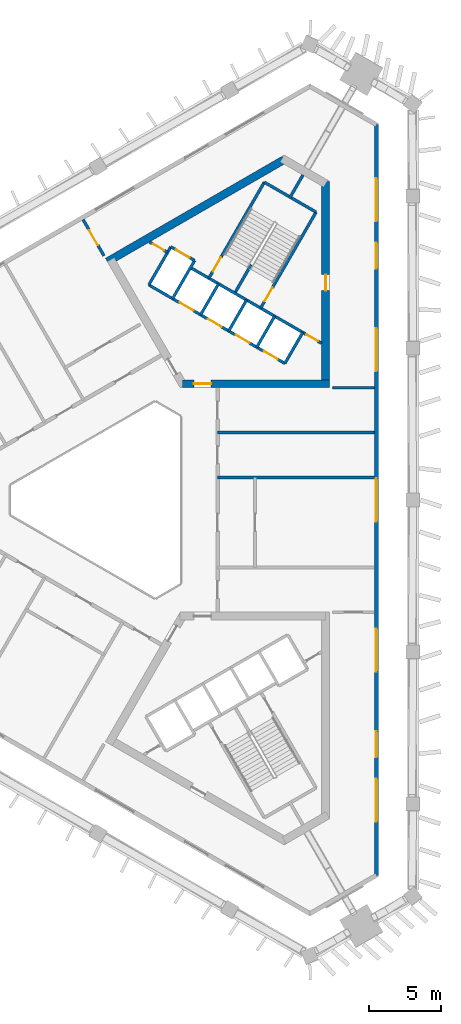
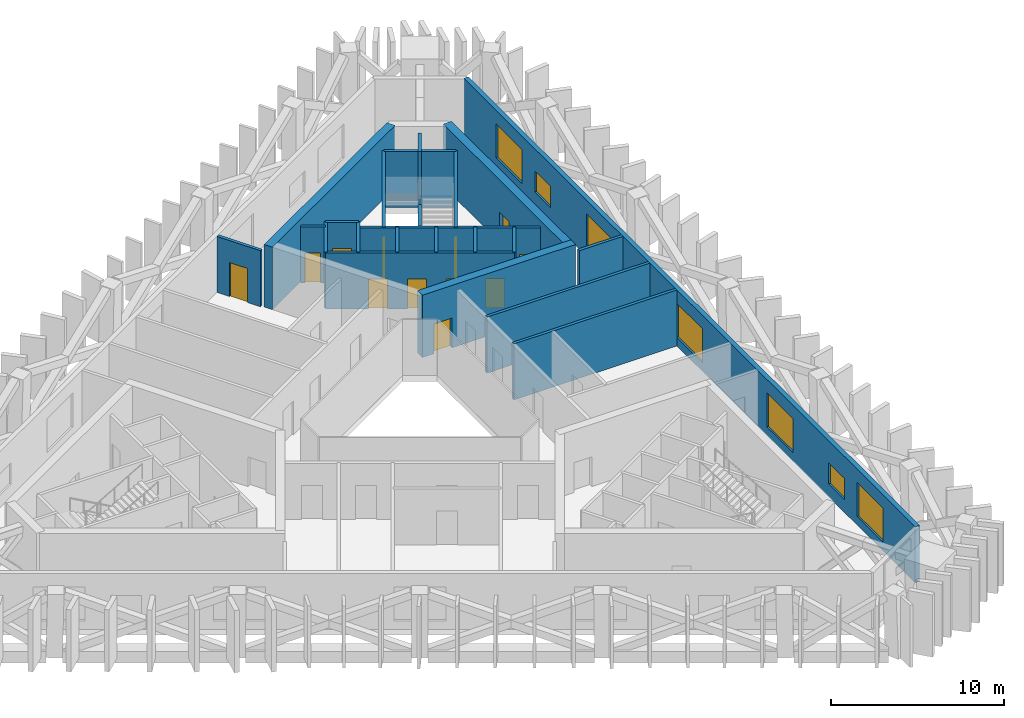
# One storey, part 6 of 9: 23 walls, 12 doors, 7 windows, 19 openings.
"""IFC4 building model written with IfcOpenShell, lengths in metres."""

from ifc_helpers import new_model, si_unit, direction, frame, frame_2d, origin, place, context, subcontext, project, spatial, rectangle, extrude, material, layer, layer_set, type_object, element, fill, save


model = new_model("IFC4")

# Units and contexts
model_context = context("Model", 3, precision=1e-05, world=origin(), true_north=direction((0.0, 1.0)))
body_context = subcontext(model_context, "Body", "Model", "MODEL_VIEW")
ifc_project = project(units=[si_unit("LENGTHUNIT", "METRE"), si_unit("AREAUNIT", "SQUARE_METRE"), si_unit("VOLUMEUNIT", "CUBIC_METRE"), si_unit("PLANEANGLEUNIT", "RADIAN"), si_unit("MASSUNIT", "GRAM", prefix="KILO")], contexts=[model_context])

# Site, building, storey
site_placement = place(None, origin())
site = spatial("IfcSite", under=ifc_project, at=site_placement, CompositionType="ELEMENT")
building_placement = place(site_placement, origin())
building = spatial("IfcBuilding", under=site, at=building_placement, Name="Jabali Bay Hotel Tower and Convention Centre", CompositionType="ELEMENT")
storey_placement = place(building_placement, frame((0.0, 0.0, 197.0)))
storey = spatial("IfcBuildingStorey", under=building, at=storey_placement, Name="L48", CompositionType="ELEMENT", Elevation=197.0)

# Wall
ifc_material_1 = material(Name="Concrete C40", Category="concrete")
ifc_layer_1 = layer(ifc_material_1, 0.199951171875)
ifc_layer_set_1 = layer_set([ifc_layer_1], Name="Concrete C40")
wall_type_1 = type_object("IfcWallType", Name="Core partition wall 200", PredefinedType="PARTITIONING", material=ifc_layer_set_1)
wall_1_placement = place(storey_placement, frame((87.090087890625, 100.9404296875, 0.0), z_axis=(0.0, 0.0, 1.0), x_axis=(0.499951854219, 0.86605319898, 0.0)))
element("IfcWall", 1, at=wall_1_placement, inside=storey, type_object=wall_type_1, Name="Core wall 1.5 L48", PredefinedType="PARTITIONING", context=body_context, shape_type="SweptSolid", body=[
    extrude(rectangle(XDim=1.873291015625, YDim=0.199951171875, at=frame_2d((0.9365234375, 0.0))), origin(), (0.0, 0.0, 1.0), 3.949951171875),
])

# Wall, opening, door
wall_2_placement = place(storey_placement, frame((78.630126953125, 97.187744140625, 0.0), z_axis=(0.0, 0.0, 1.0), x_axis=(-0.866003949776, 0.500037157592, 0.0)))
wall_2 = element("IfcWall", 2, at=wall_2_placement, inside=storey, type_object=wall_type_1, Name="Core wall 1.12 L48", PredefinedType="PARTITIONING", context=body_context, shape_type="SweptSolid", body=[
    extrude(rectangle(XDim=1.455078125, YDim=0.199951171875, at=frame_2d((0.7275390625, 0.0))), origin(), (0.0, 0.0, 1.0), 3.949951171875),
])
opening_1_placement = place(wall_2_placement, frame((0.277587890625, 0.0, 0.0)))
opening_1 = element("IfcOpeningElement", 3, at=opening_1_placement, cuts=wall_2, Name="Opening D1040", PredefinedType="OPENING", context=body_context, shape_type="SweptSolid", body=[
    extrude(rectangle(XDim=0.89990234375, YDim=2.10009765625, at=frame_2d((0.449951171875, 1.050048828125))), frame((0.0, 0.1103515625, 0.0), z_axis=(0.0, -1.0, 0.0), x_axis=(1.0, 0.0, 0.0)), (0.0, 0.0, 1.0), 0.220947265625),
])
ifc_material_2 = material(Name="Fire-rated steel door", Category="steel")
door_type_1 = type_object("IfcDoorType", Name="Vestibule fire door 900 x 2100", OperationType="NOTDEFINED", PredefinedType="NOTDEFINED", material=ifc_material_2)
door_1_placement = place(opening_1_placement, origin())
door_1 = element("IfcDoor", 4, at=door_1_placement, inside=storey, type_object=door_type_1, Name="Vestibule fire door D1040", OperationType="SINGLE_SWING_LEFT", OverallHeight=2.10009765625, OverallWidth=0.89990234375, PredefinedType="NOTDEFINED", context=body_context, shape_type="SweptSolid", body=[
    extrude(rectangle(XDim=0.89990234375, YDim=2.10009765625, at=frame_2d((0.449951171875, 1.050048828125))), frame((0.0, 0.02490234375, 0.0), z_axis=(0.0, -1.0, 0.0), x_axis=(1.0, 0.0, 0.0)), (0.0, 0.0, 1.0), 0.050048828125),
])
fill(opening_1, door_1)

# Walls
ifc_layer_2 = layer(ifc_material_1, 0.199951171875)
ifc_layer_set_2 = layer_set([ifc_layer_2], Name="Concrete C40")
wall_type_2 = type_object("IfcWallType", Name="Core stair wall 200", PredefinedType="SOLIDWALL", material=ifc_layer_set_2)
for number, where, z_axis, x_axis, name in (
    (5, (86.769775390625, 89.48583984375, 0.0), (0.0, 0.0, 1.0), (0.499961042966, 0.86604789447, 0.0), "Core wall 1.0 L48"),
    (6, (84.8212890625, 90.61083984375, 0.0), (0.0, 0.0, 1.0), (0.499961042966, 0.86604789447, 0.0), "Core wall 1.1 L48"),
):
    element("IfcWall", number, at=place(storey_placement, frame(where, z_axis=z_axis, x_axis=x_axis)), inside=storey, type_object=wall_type_2, Name=name, PredefinedType="SOLIDWALL", context=body_context, shape_type="SweptSolid", body=[
        extrude(rectangle(XDim=2.480224609375, YDim=0.199951171875, at=frame_2d((1.240234375, 0.0))), origin(), (0.0, 0.0, 1.0), 3.949951171875),
    ])

# Wall, opening, door
wall_3_placement = place(storey_placement, frame((85.0869140625, 93.3212890625, 0.0), z_axis=(0.0, 0.0, 1.0), x_axis=(0.500019787375, 0.866013979237, 0.0)))
wall_3 = element("IfcWall", 7, at=wall_3_placement, inside=storey, type_object=wall_type_2, Name="Core wall 1.2 L48", PredefinedType="SOLIDWALL", context=body_context, shape_type="SweptSolid", body=[
    extrude(rectangle(XDim=7.699951171875, YDim=0.199951171875, at=frame_2d((3.85009765625, 0.0))), origin(), (0.0, 0.0, 1.0), 3.949951171875),
])
opening_2_placement = place(wall_3_placement, frame((0.550048828125, 0.0, 0.0)))
opening_2 = element("IfcOpeningElement", 8, at=opening_2_placement, cuts=wall_3, Name="Opening D1043", PredefinedType="OPENING", context=body_context, shape_type="SweptSolid", body=[
    extrude(rectangle(XDim=1.10009765625, YDim=2.10009765625, at=frame_2d((0.550048828125, 1.050048828125))), frame((0.0, 0.1103515625, 0.0), z_axis=(0.0, -1.0, 0.0), x_axis=(1.0, 0.0, 0.0)), (0.0, 0.0, 1.0), 0.220947265625),
])
door_type_2 = type_object("IfcDoorType", Name="Stair fire door 1100 x 2100", OperationType="NOTDEFINED", PredefinedType="NOTDEFINED", material=ifc_material_2)
door_2_placement = place(opening_2_placement, origin())
door_2 = element("IfcDoor", 9, at=door_2_placement, inside=storey, type_object=door_type_2, Name="Stair fire door D1043", OperationType="SINGLE_SWING_LEFT", OverallHeight=2.10009765625, OverallWidth=1.10009765625, PredefinedType="NOTDEFINED", context=body_context, shape_type="SweptSolid", body=[
    extrude(rectangle(XDim=1.10009765625, YDim=2.10009765625, at=frame_2d((0.550048828125, 1.050048828125))), frame((0.0, 0.02490234375, 0.0), z_axis=(0.0, -1.0, 0.0), x_axis=(1.0, 0.0, 0.0)), (0.0, 0.0, 1.0), 0.050048828125),
])
fill(opening_2, door_2)

# Walls
wall_4_placement = place(storey_placement, frame((82.872802734375, 91.73583984375, 0.0), z_axis=(0.0, 0.0, 1.0), x_axis=(0.499961042966, 0.86604789447, 0.0)))
element("IfcWall", 10, at=wall_4_placement, inside=storey, type_object=wall_type_2, Name="Core wall 1.3 L48", PredefinedType="SOLIDWALL", context=body_context, shape_type="SweptSolid", body=[
    extrude(rectangle(XDim=2.480224609375, YDim=0.199951171875, at=frame_2d((1.240234375, 0.0))), origin(), (0.0, 0.0, 1.0), 3.949951171875),
])
wall_5_placement = place(storey_placement, frame((83.340087890625, 94.4453125, 0.0), z_axis=(0.0, 0.0, 1.0), x_axis=(0.499946605688, 0.86605622881, 0.0)))
element("IfcWall", 11, at=wall_5_placement, inside=storey, type_object=wall_type_2, Name="Core wall 1.4 L48", PredefinedType="SOLIDWALL", context=body_context, shape_type="SweptSolid", body=[
    extrude(rectangle(XDim=2.199951171875, YDim=0.199951171875, at=frame_2d((1.10009765625, 0.0))), origin(), (0.0, 0.0, 1.0), 3.949951171875),
])
wall_6_placement = place(storey_placement, frame((80.924072265625, 92.86083984375, 0.0), z_axis=(0.0, 0.0, 1.0), x_axis=(0.499961042966, 0.86604789447, 0.0)))
element("IfcWall", 12, at=wall_6_placement, inside=storey, type_object=wall_type_2, Name="Core wall 1.6 L48", PredefinedType="SOLIDWALL", context=body_context, shape_type="SweptSolid", body=[
    extrude(rectangle(XDim=2.480224609375, YDim=0.199951171875, at=frame_2d((1.240234375, 0.0))), origin(), (0.0, 0.0, 1.0), 3.949951171875),
])

# Wall, opening, door
wall_7_placement = place(storey_placement, frame((81.492919921875, 95.396240234375, 0.0), z_axis=(0.0, 0.0, 1.0), x_axis=(0.500006057782, 0.866021906294, 0.0)))
wall_7 = element("IfcWall", 13, at=wall_7_placement, inside=storey, type_object=wall_type_2, Name="Core wall 1.7 L48", PredefinedType="SOLIDWALL", context=body_context, shape_type="SweptSolid", body=[
    extrude(rectangle(XDim=7.7001953125, YDim=0.199951171875, at=frame_2d((3.85009765625, 0.0))), origin(), (0.0, 0.0, 1.0), 3.949951171875),
])
opening_3_placement = place(wall_7_placement, frame((0.550048828125, 0.0, 0.0)))
opening_3 = element("IfcOpeningElement", 14, at=opening_3_placement, cuts=wall_7, Name="Opening D1042", PredefinedType="OPENING", context=body_context, shape_type="SweptSolid", body=[
    extrude(rectangle(XDim=1.10009765625, YDim=2.10009765625, at=frame_2d((0.550048828125, 1.050048828125))), frame((0.0, 0.1103515625, 0.0), z_axis=(0.0, -1.0, 0.0), x_axis=(1.0, 0.0, 0.0)), (0.0, 0.0, 1.0), 0.220947265625),
])
door_3_placement = place(opening_3_placement, origin())
door_3 = element("IfcDoor", 15, at=door_3_placement, inside=storey, type_object=door_type_2, Name="Stair fire door D1042", OperationType="SINGLE_SWING_RIGHT", OverallHeight=2.10009765625, OverallWidth=1.10009765625, PredefinedType="NOTDEFINED", context=body_context, shape_type="SweptSolid", body=[
    extrude(rectangle(XDim=1.10009765625, YDim=2.10009765625, at=frame_2d((0.550048828125, 1.050048828125))), frame((0.0, 0.02490234375, 0.0), z_axis=(0.0, -1.0, 0.0), x_axis=(1.0, 0.0, 0.0)), (0.0, 0.0, 1.0), 0.050048828125),
])
fill(opening_3, door_3)

# Walls
for number, where, z_axis, x_axis, name in (
    (16, (78.9755859375, 93.98583984375, 0.0), (0.0, 0.0, 1.0), (0.499944174705, 0.866057632134, 0.0), "Core wall 1.8 L48"),
    (17, (77.330078125, 94.93603515625, 0.0), (0.0, 0.0, 1.0), (0.500038867431, 0.8660029625, 0.0), "Core wall 1.9 L48"),
):
    element("IfcWall", number, at=place(storey_placement, frame(where, z_axis=z_axis, x_axis=x_axis)), inside=storey, type_object=wall_type_2, Name=name, PredefinedType="SOLIDWALL", context=body_context, shape_type="SweptSolid", body=[
        extrude(rectangle(XDim=3.050048828125, YDim=0.199951171875, at=frame_2d((1.52490234375, 0.0))), origin(), (0.0, 0.0, 1.0), 3.949951171875),
    ])

# Wall, openings, doors
wall_8_placement = place(storey_placement, frame((86.769775390625, 89.48583984375, 0.0), z_axis=(0.0, 0.0, 1.0), x_axis=(-0.86601811187, 0.500012629753, 0.0)))
wall_8 = element("IfcWall", 18, at=wall_8_placement, inside=storey, type_object=wall_type_2, Name="Core wall 1.10 L48", PredefinedType="SOLIDWALL", context=body_context, shape_type="SweptSolid", body=[
    extrude(rectangle(XDim=10.900146484375, YDim=0.199951171875, at=frame_2d((5.4501953125, 0.0))), origin(), (0.0, 0.0, 1.0), 3.949951171875),
])
opening_4_placement = place(wall_8_placement, frame((0.574951171875, 0.0, 0.0)))
opening_4 = element("IfcOpeningElement", 19, at=opening_4_placement, cuts=wall_8, Name="Opening LD6-L48", PredefinedType="OPENING", context=body_context, shape_type="SweptSolid", body=[
    extrude(rectangle(XDim=1.10009765625, YDim=2.10009765625, at=frame_2d((0.550048828125, 1.050048828125))), frame((0.0, 0.1103515625, 0.0), z_axis=(0.0, -1.0, 0.0), x_axis=(1.0, 0.0, 0.0)), (0.0, 0.0, 1.0), 0.220947265625),
])
opening_5_placement = place(wall_8_placement, frame((2.824951171875, 0.0, 0.0)))
opening_5 = element("IfcOpeningElement", 20, at=opening_5_placement, cuts=wall_8, Name="Opening LD7-L48", PredefinedType="OPENING", context=body_context, shape_type="SweptSolid", body=[
    extrude(rectangle(XDim=1.10009765625, YDim=2.10009765625, at=frame_2d((0.550048828125, 1.050048828125))), frame((0.0, 0.1103515625, 0.0), z_axis=(0.0, -1.0, 0.0), x_axis=(1.0, 0.0, 0.0)), (0.0, 0.0, 1.0), 0.220947265625),
])
opening_6_placement = place(wall_8_placement, frame((5.074951171875, 0.0, 0.0)))
opening_6 = element("IfcOpeningElement", 21, at=opening_6_placement, cuts=wall_8, Name="Opening LD8-L48", PredefinedType="OPENING", context=body_context, shape_type="SweptSolid", body=[
    extrude(rectangle(XDim=1.10009765625, YDim=2.10009765625, at=frame_2d((0.550048828125, 1.050048828125))), frame((0.0, 0.1103515625, 0.0), z_axis=(0.0, -1.0, 0.0), x_axis=(1.0, 0.0, 0.0)), (0.0, 0.0, 1.0), 0.220947265625),
])
opening_7_placement = place(wall_8_placement, frame((7.324951171875, 0.0, 0.0)))
opening_7 = element("IfcOpeningElement", 22, at=opening_7_placement, cuts=wall_8, Name="Opening LD9-L48", PredefinedType="OPENING", context=body_context, shape_type="SweptSolid", body=[
    extrude(rectangle(XDim=1.10009765625, YDim=2.10009765625, at=frame_2d((0.550048828125, 1.050048828125))), frame((0.0, 0.1103515625, 0.0), z_axis=(0.0, -1.0, 0.0), x_axis=(1.0, 0.0, 0.0)), (0.0, 0.0, 1.0), 0.220947265625),
])
ifc_material_3 = material(Name="Stainless steel landing door", Category="steel")
door_type_3 = type_object("IfcDoorType", Name="Landing door 1100 x 2100", OperationType="NOTDEFINED", PredefinedType="NOTDEFINED", material=ifc_material_3)
door_4_placement = place(opening_4_placement, origin())
door_4 = element("IfcDoor", 23, at=door_4_placement, inside=storey, type_object=door_type_3, Name="Landing doors LD6-L48", OperationType="SLIDING_TO_RIGHT", OverallHeight=2.10009765625, OverallWidth=1.10009765625, PredefinedType="NOTDEFINED", context=body_context, shape_type="SweptSolid", body=[
    extrude(rectangle(XDim=1.10009765625, YDim=2.10009765625, at=frame_2d((0.550048828125, 1.050048828125))), frame((0.0, 0.02490234375, 0.0), z_axis=(0.0, -1.0, 0.0), x_axis=(1.0, 0.0, 0.0)), (0.0, 0.0, 1.0), 0.050048828125),
])
fill(opening_4, door_4)
door_5_placement = place(opening_5_placement, origin())
door_5 = element("IfcDoor", 24, at=door_5_placement, inside=storey, type_object=door_type_3, Name="Landing doors LD7-L48", OperationType="SLIDING_TO_LEFT", OverallHeight=2.10009765625, OverallWidth=1.10009765625, PredefinedType="NOTDEFINED", context=body_context, shape_type="SweptSolid", body=[
    extrude(rectangle(XDim=1.10009765625, YDim=2.10009765625, at=frame_2d((0.550048828125, 1.050048828125))), frame((0.0, 0.02490234375, 0.0), z_axis=(0.0, -1.0, 0.0), x_axis=(1.0, 0.0, 0.0)), (0.0, 0.0, 1.0), 0.050048828125),
])
fill(opening_5, door_5)
door_6_placement = place(opening_6_placement, origin())
door_6 = element("IfcDoor", 25, at=door_6_placement, inside=storey, type_object=door_type_3, Name="Landing doors LD8-L48", OperationType="SLIDING_TO_RIGHT", OverallHeight=2.10009765625, OverallWidth=1.10009765625, PredefinedType="NOTDEFINED", context=body_context, shape_type="SweptSolid", body=[
    extrude(rectangle(XDim=1.10009765625, YDim=2.10009765625, at=frame_2d((0.550048828125, 1.050048828125))), frame((0.0, 0.02490234375, 0.0), z_axis=(0.0, -1.0, 0.0), x_axis=(1.0, 0.0, 0.0)), (0.0, 0.0, 1.0), 0.050048828125),
])
fill(opening_6, door_6)
door_7_placement = place(opening_7_placement, origin())
door_7 = element("IfcDoor", 26, at=door_7_placement, inside=storey, type_object=door_type_3, Name="Landing doors LD9-L48", OperationType="SLIDING_TO_LEFT", OverallHeight=2.10009765625, OverallWidth=1.10009765625, PredefinedType="NOTDEFINED", context=body_context, shape_type="SweptSolid", body=[
    extrude(rectangle(XDim=1.10009765625, YDim=2.10009765625, at=frame_2d((0.550048828125, 1.050048828125))), frame((0.0, 0.02490234375, 0.0), z_axis=(0.0, -1.0, 0.0), x_axis=(1.0, 0.0, 0.0)), (0.0, 0.0, 1.0), 0.050048828125),
])
fill(opening_7, door_7)

# Wall, opening, door
wall_9_placement = place(storey_placement, frame((89.330078125, 90.87158203125, 0.0), z_axis=(0.0, 0.0, 1.0), x_axis=(-0.866027589512, 0.49999621419, 0.0)))
wall_9 = element("IfcWall", 27, at=wall_9_placement, inside=storey, type_object=wall_type_2, Name="Core wall 1.11 L48", PredefinedType="SOLIDWALL", context=body_context, shape_type="SweptSolid", body=[
    extrude(rectangle(XDim=10.5244140625, YDim=0.199951171875, at=frame_2d((5.26220703125, 0.0))), origin(), (0.0, 0.0, 1.0), 3.949951171875),
])
opening_8_placement = place(wall_9_placement, frame((0.312255859375, 0.0, 0.0)))
opening_8 = element("IfcOpeningElement", 28, at=opening_8_placement, cuts=wall_9, Name="Opening D1041", PredefinedType="OPENING", context=body_context, shape_type="SweptSolid", body=[
    extrude(rectangle(XDim=0.89990234375, YDim=2.10009765625, at=frame_2d((0.449951171875, 1.050048828125))), frame((0.0, 0.1103515625, 0.0), z_axis=(0.0, -1.0, 0.0), x_axis=(1.0, 0.0, 0.0)), (0.0, 0.0, 1.0), 0.220947265625),
])
door_8_placement = place(opening_8_placement, origin())
door_8 = element("IfcDoor", 29, at=door_8_placement, inside=storey, type_object=door_type_1, Name="Vestibule fire door D1041", OperationType="SINGLE_SWING_LEFT", OverallHeight=2.10009765625, OverallWidth=0.89990234375, PredefinedType="NOTDEFINED", context=body_context, shape_type="SweptSolid", body=[
    extrude(rectangle(XDim=0.89990234375, YDim=2.10009765625, at=frame_2d((0.449951171875, 1.050048828125))), frame((0.0, 0.02490234375, 0.0), z_axis=(0.0, -1.0, 0.0), x_axis=(1.0, 0.0, 0.0)), (0.0, 0.0, 1.0), 0.050048828125),
])
fill(opening_8, door_8)

wall_10_placement = place(storey_placement, frame((80.50048828125, 96.62744140625, 0.0), z_axis=(0.0, 0.0, 1.0), x_axis=(-0.86601224135, 0.500022797313, 0.0)))
wall_10 = element("IfcWall", 30, at=wall_10_placement, inside=storey, type_object=wall_type_2, Name="Core wall 1.13 L48", PredefinedType="SOLIDWALL", context=body_context, shape_type="SweptSolid", body=[
    extrude(rectangle(XDim=1.89990234375, YDim=0.199951171875, at=frame_2d((0.949951171875, 0.0))), origin(), (0.0, 0.0, 1.0), 3.949951171875),
])
opening_9_placement = place(wall_10_placement, frame((0.39990234375, 0.0, 0.0)))
opening_9 = element("IfcOpeningElement", 31, at=opening_9_placement, cuts=wall_10, Name="Opening LD10-L48", PredefinedType="OPENING", context=body_context, shape_type="SweptSolid", body=[
    extrude(rectangle(XDim=1.10009765625, YDim=2.10009765625, at=frame_2d((0.550048828125, 1.050048828125))), frame((0.0, 0.1103515625, 0.0), z_axis=(0.0, -1.0, 0.0), x_axis=(1.0, 0.0, 0.0)), (0.0, 0.0, 1.0), 0.220947265625),
])
door_9_placement = place(opening_9_placement, origin())
door_9 = element("IfcDoor", 32, at=door_9_placement, inside=storey, type_object=door_type_3, Name="Landing doors LD10-L48", OperationType="SLIDING_TO_RIGHT", OverallHeight=2.10009765625, OverallWidth=1.10009765625, PredefinedType="NOTDEFINED", context=body_context, shape_type="SweptSolid", body=[
    extrude(rectangle(XDim=1.10009765625, YDim=2.10009765625, at=frame_2d((0.550048828125, 1.050048828125))), frame((0.0, 0.02490234375, 0.0), z_axis=(0.0, -1.0, 0.0), x_axis=(1.0, 0.0, 0.0)), (0.0, 0.0, 1.0), 0.050048828125),
])
fill(opening_9, door_9)

# Wall
wall_11_placement = place(storey_placement, frame((88.93701171875, 99.989501953125, 0.0), z_axis=(0.0, 0.0, 1.0), x_axis=(-0.866004344652, 0.500036473714, 0.0)))
element("IfcWall", 33, at=wall_11_placement, inside=storey, type_object=wall_type_2, Name="Core wall 1.14 L48", PredefinedType="SOLIDWALL", context=body_context, shape_type="SweptSolid", body=[
    extrude(rectangle(XDim=4.150146484375, YDim=0.199951171875, at=frame_2d((2.0751953125, 0.0))), origin(), (0.0, 0.0, 1.0), 3.949951171875),
])

# Wall, opening, door
ifc_material_4 = material(Name="Concrete C60", Category="concrete")
ifc_layer_3 = layer(ifc_material_4, 0.550048828125)
ifc_layer_set_3 = layer_set([ifc_layer_3], Name="Concrete C60")
wall_type_3 = type_object("IfcWallType", Name="Core wall 550", PredefinedType="SHEAR", material=ifc_layer_set_3)
wall_12_placement = place(storey_placement, frame((79.65869140625, 88.0693359375, 0.0), z_axis=(0.0, 0.0, 1.0), x_axis=(1.0, 0.0, 0.0)))
wall_12 = element("IfcWall", 34, at=wall_12_placement, inside=storey, type_object=wall_type_3, Name="Core wall 2.1 L48", PredefinedType="SHEAR", context=body_context, shape_type="SweptSolid", body=[
    extrude(rectangle(XDim=10.22119140625, YDim=0.550048828125, at=frame_2d((5.110595703125, 0.0))), origin(), (0.0, 0.0, 1.0), 4.39990234375),
])
opening_10_placement = place(wall_12_placement, frame((0.791259765625, 0.0, 0.0)))
opening_10 = element("IfcOpeningElement", 35, at=opening_10_placement, cuts=wall_12, Name="Opening D1038", PredefinedType="OPENING", context=body_context, shape_type="SweptSolid", body=[
    extrude(rectangle(XDim=1.199951171875, YDim=2.10009765625, at=frame_2d((0.60009765625, 1.050048828125))), frame((0.0, 0.28564453125, 0.0), z_axis=(0.0, -1.0, 0.0), x_axis=(1.0, 0.0, 0.0)), (0.0, 0.0, 1.0), 0.571044921875),
])
door_type_4 = type_object("IfcDoorType", Name="Corridor end fire door 1200 x 2100", OperationType="NOTDEFINED", PredefinedType="NOTDEFINED", material=ifc_material_2)
door_10_placement = place(opening_10_placement, origin())
door_10 = element("IfcDoor", 36, at=door_10_placement, inside=storey, type_object=door_type_4, Name="Corridor end fire door D1038", OperationType="SINGLE_SWING_RIGHT", OverallHeight=2.10009765625, OverallWidth=1.199951171875, PredefinedType="NOTDEFINED", context=body_context, shape_type="SweptSolid", body=[
    extrude(rectangle(XDim=1.199951171875, YDim=2.10009765625, at=frame_2d((0.60009765625, 1.050048828125))), frame((0.0, 0.02490234375, 0.0), z_axis=(0.0, -1.0, 0.0), x_axis=(1.0, 0.0, 0.0)), (0.0, 0.0, 1.0), 0.050048828125),
])
fill(opening_10, door_10)

wall_13_placement = place(storey_placement, frame((89.60498046875, 88.0693359375, 0.0), z_axis=(0.0, 0.0, 1.0), x_axis=(0.0, 1.0, 0.0)))
wall_13 = element("IfcWall", 37, at=wall_13_placement, inside=storey, type_object=wall_type_3, Name="Core wall 2.2 L48", PredefinedType="SHEAR", context=body_context, shape_type="SweptSolid", body=[
    extrude(rectangle(XDim=14.058349609375, YDim=0.550048828125, at=frame_2d((7.029296875, 0.0))), origin(), (0.0, 0.0, 1.0), 4.39990234375),
])
opening_11_placement = place(wall_13_placement, frame((6.47509765625, 0.0, 0.0)))
opening_11 = element("IfcOpeningElement", 38, at=opening_11_placement, cuts=wall_13, Name="Opening D1044", PredefinedType="OPENING", context=body_context, shape_type="SweptSolid", body=[
    extrude(rectangle(XDim=1.10009765625, YDim=2.10009765625, at=frame_2d((0.550048828125, 1.050048828125))), frame((0.0, 0.28564453125, 0.0), z_axis=(0.0, -1.0, 0.0), x_axis=(1.0, 0.0, 0.0)), (0.0, 0.0, 1.0), 0.571044921875),
])
door_type_5 = type_object("IfcDoorType", Name="Vestibule fire door 1100 x 2100", OperationType="NOTDEFINED", PredefinedType="NOTDEFINED", material=ifc_material_2)
door_11_placement = place(opening_11_placement, origin())
door_11 = element("IfcDoor", 39, at=door_11_placement, inside=storey, type_object=door_type_5, Name="Vestibule fire door D1044", OperationType="SINGLE_SWING_RIGHT", OverallHeight=2.10009765625, OverallWidth=1.10009765625, PredefinedType="NOTDEFINED", context=body_context, shape_type="SweptSolid", body=[
    extrude(rectangle(XDim=1.10009765625, YDim=2.10009765625, at=frame_2d((0.550048828125, 1.050048828125))), frame((0.0, 0.02490234375, 0.0), z_axis=(0.0, -1.0, 0.0), x_axis=(1.0, 0.0, 0.0)), (0.0, 0.0, 1.0), 0.050048828125),
])
fill(opening_11, door_11)

# Wall
wall_14_placement = place(storey_placement, frame((86.72314453125, 103.6328125, 0.0), z_axis=(0.0, 0.0, 1.0), x_axis=(-0.866023530946, -0.500003243837, 0.0)))
element("IfcWall", 40, at=wall_14_placement, inside=storey, type_object=wall_type_3, Name="Core wall 2.4 L48", PredefinedType="SHEAR", context=body_context, shape_type="SweptSolid", body=[
    extrude(rectangle(XDim=14.1748046875, YDim=0.550048828125, at=frame_2d((7.08740234375, 0.0))), origin(), (0.0, 0.0, 1.0), 4.39990234375),
])

# Wall, openings, windows
ifc_layer_4 = layer(ifc_material_1, 0.300048828125)
ifc_layer_set_4 = layer_set([ifc_layer_4], Name="Concrete C40")
wall_type_4 = type_object("IfcWallType", Name="External wall 300", PredefinedType="SOLIDWALL", material=ifc_layer_set_4)
wall_15_placement = place(storey_placement, frame((93.12841796875, 106.06591796875, 0.0), z_axis=(0.0, 0.0, 1.0), x_axis=(0.0, -1.0, 0.0)))
wall_15 = element("IfcWall", 41, at=wall_15_placement, inside=storey, type_object=wall_type_4, Name="External wall east face L48", PredefinedType="SOLIDWALL", context=body_context, shape_type="SweptSolid", body=[
    extrude(rectangle(XDim=52.1318359375, YDim=0.300048828125, at=frame_2d((26.06591796875, 0.0))), origin(), (0.0, 0.0, 1.0), 3.949951171875),
])
opening_12_placement = place(wall_15_placement, frame((8.192626953125, 0.0, 0.89990234375)))
opening_12 = element("IfcOpeningElement", 42, at=opening_12_placement, cuts=wall_15, Name="Opening W1", PredefinedType="OPENING", context=body_context, shape_type="SweptSolid", body=[
    extrude(rectangle(XDim=1.800048828125, YDim=1.5, at=frame_2d((0.89990234375, 0.75))), frame((0.0, 0.16064453125, 0.0), z_axis=(0.0, -1.0, 0.0), x_axis=(1.0, 0.0, 0.0)), (0.0, 0.0, 1.0), 0.321044921875),
])
opening_13_placement = place(wall_15_placement, frame((42.139404296875, 0.0, 0.89990234375)))
opening_13 = element("IfcOpeningElement", 43, at=opening_13_placement, cuts=wall_15, Name="Opening W1", PredefinedType="OPENING", context=body_context, shape_type="SweptSolid", body=[
    extrude(rectangle(XDim=1.800048828125, YDim=1.5, at=frame_2d((0.89990234375, 0.75))), frame((0.0, 0.16064453125, 0.0), z_axis=(0.0, -1.0, 0.0), x_axis=(1.0, 0.0, 0.0)), (0.0, 0.0, 1.0), 0.321044921875),
])
opening_14_placement = place(wall_15_placement, frame((3.713134765625, 0.0, 0.60009765625)))
opening_14 = element("IfcOpeningElement", 44, at=opening_14_placement, cuts=wall_15, Name="Opening W2", PredefinedType="OPENING", context=body_context, shape_type="SweptSolid", body=[
    extrude(rectangle(XDim=3.0, YDim=2.39990234375, at=frame_2d((1.5, 1.199951171875))), frame((0.0, 0.16064453125, 0.0), z_axis=(0.0, -1.0, 0.0), x_axis=(1.0, 0.0, 0.0)), (0.0, 0.0, 1.0), 0.321044921875),
])
opening_15_placement = place(wall_15_placement, frame((14.1396484375, 0.0, 0.60009765625)))
opening_15 = element("IfcOpeningElement", 45, at=opening_15_placement, cuts=wall_15, Name="Opening W2", PredefinedType="OPENING", context=body_context, shape_type="SweptSolid", body=[
    extrude(rectangle(XDim=3.0, YDim=2.39990234375, at=frame_2d((1.5, 1.199951171875))), frame((0.0, 0.16064453125, 0.0), z_axis=(0.0, -1.0, 0.0), x_axis=(1.0, 0.0, 0.0)), (0.0, 0.0, 1.0), 0.321044921875),
])
opening_16_placement = place(wall_15_placement, frame((24.56591796875, 0.0, 0.60009765625)))
opening_16 = element("IfcOpeningElement", 46, at=opening_16_placement, cuts=wall_15, Name="Opening W2", PredefinedType="OPENING", context=body_context, shape_type="SweptSolid", body=[
    extrude(rectangle(XDim=3.0, YDim=2.39990234375, at=frame_2d((1.5, 1.199951171875))), frame((0.0, 0.16064453125, 0.0), z_axis=(0.0, -1.0, 0.0), x_axis=(1.0, 0.0, 0.0)), (0.0, 0.0, 1.0), 0.321044921875),
])
opening_17_placement = place(wall_15_placement, frame((34.992431640625, 0.0, 0.60009765625)))
opening_17 = element("IfcOpeningElement", 47, at=opening_17_placement, cuts=wall_15, Name="Opening W2", PredefinedType="OPENING", context=body_context, shape_type="SweptSolid", body=[
    extrude(rectangle(XDim=3.0, YDim=2.39990234375, at=frame_2d((1.5, 1.199951171875))), frame((0.0, 0.16064453125, 0.0), z_axis=(0.0, -1.0, 0.0), x_axis=(1.0, 0.0, 0.0)), (0.0, 0.0, 1.0), 0.321044921875),
])
opening_18_placement = place(wall_15_placement, frame((45.418701171875, 0.0, 0.60009765625)))
opening_18 = element("IfcOpeningElement", 48, at=opening_18_placement, cuts=wall_15, Name="Opening W2", PredefinedType="OPENING", context=body_context, shape_type="SweptSolid", body=[
    extrude(rectangle(XDim=3.0, YDim=2.39990234375, at=frame_2d((1.5, 1.199951171875))), frame((0.0, 0.16064453125, 0.0), z_axis=(0.0, -1.0, 0.0), x_axis=(1.0, 0.0, 0.0)), (0.0, 0.0, 1.0), 0.321044921875),
])
ifc_material_5 = material(Name="Aluminium", Category="aluminium")
window_type_1 = type_object("IfcWindowType", Name="Louvred ventilation panel 3000 x 2400", PartitioningType="SINGLE_PANEL", PredefinedType="WINDOW", material=ifc_material_5)
window_1_placement = place(opening_14_placement, origin())
window_1 = element("IfcWindow", 49, at=window_1_placement, inside=storey, type_object=window_type_1, Name="Louvred panel 1", OverallHeight=2.39990234375, OverallWidth=3.0, PartitioningType="SINGLE_PANEL", PredefinedType="WINDOW", context=body_context, shape_type="SweptSolid", body=[
    extrude(rectangle(XDim=3.0, YDim=2.39990234375, at=frame_2d((1.5, 1.199951171875))), frame((0.0, 0.030029296875, 0.0), z_axis=(0.0, -1.0, 0.0), x_axis=(1.0, 0.0, 0.0)), (0.0, 0.0, 1.0), 0.06005859375),
])
fill(opening_14, window_1)
window_2_placement = place(opening_15_placement, origin())
window_2 = element("IfcWindow", 50, at=window_2_placement, inside=storey, type_object=window_type_1, Name="Louvred panel 2", OverallHeight=2.39990234375, OverallWidth=3.0, PartitioningType="SINGLE_PANEL", PredefinedType="WINDOW", context=body_context, shape_type="SweptSolid", body=[
    extrude(rectangle(XDim=3.0, YDim=2.39990234375, at=frame_2d((1.5, 1.199951171875))), frame((0.0, 0.030029296875, 0.0), z_axis=(0.0, -1.0, 0.0), x_axis=(1.0, 0.0, 0.0)), (0.0, 0.0, 1.0), 0.06005859375),
])
fill(opening_15, window_2)
window_3_placement = place(opening_16_placement, origin())
window_3 = element("IfcWindow", 51, at=window_3_placement, inside=storey, type_object=window_type_1, Name="Louvred panel 3", OverallHeight=2.39990234375, OverallWidth=3.0, PartitioningType="SINGLE_PANEL", PredefinedType="WINDOW", context=body_context, shape_type="SweptSolid", body=[
    extrude(rectangle(XDim=3.0, YDim=2.39990234375, at=frame_2d((1.5, 1.199951171875))), frame((0.0, 0.030029296875, 0.0), z_axis=(0.0, -1.0, 0.0), x_axis=(1.0, 0.0, 0.0)), (0.0, 0.0, 1.0), 0.06005859375),
])
fill(opening_16, window_3)
window_4_placement = place(opening_17_placement, origin())
window_4 = element("IfcWindow", 52, at=window_4_placement, inside=storey, type_object=window_type_1, Name="Louvred panel 4", OverallHeight=2.39990234375, OverallWidth=3.0, PartitioningType="SINGLE_PANEL", PredefinedType="WINDOW", context=body_context, shape_type="SweptSolid", body=[
    extrude(rectangle(XDim=3.0, YDim=2.39990234375, at=frame_2d((1.5, 1.199951171875))), frame((0.0, 0.030029296875, 0.0), z_axis=(0.0, -1.0, 0.0), x_axis=(1.0, 0.0, 0.0)), (0.0, 0.0, 1.0), 0.06005859375),
])
fill(opening_17, window_4)
window_5_placement = place(opening_18_placement, origin())
window_5 = element("IfcWindow", 53, at=window_5_placement, inside=storey, type_object=window_type_1, Name="Louvred panel 5", OverallHeight=2.39990234375, OverallWidth=3.0, PartitioningType="SINGLE_PANEL", PredefinedType="WINDOW", context=body_context, shape_type="SweptSolid", body=[
    extrude(rectangle(XDim=3.0, YDim=2.39990234375, at=frame_2d((1.5, 1.199951171875))), frame((0.0, 0.030029296875, 0.0), z_axis=(0.0, -1.0, 0.0), x_axis=(1.0, 0.0, 0.0)), (0.0, 0.0, 1.0), 0.06005859375),
])
fill(opening_18, window_5)
ifc_material_6 = material(Name="Glass", Category="glass")
window_type_2 = type_object("IfcWindowType", Name="Window 1800 x 1500", PartitioningType="SINGLE_PANEL", PredefinedType="WINDOW", material=ifc_material_6)
window_6_placement = place(opening_12_placement, origin())
window_6 = element("IfcWindow", 54, at=window_6_placement, inside=storey, type_object=window_type_2, Name="Window", OverallHeight=1.5, OverallWidth=1.800048828125, PartitioningType="SINGLE_PANEL", PredefinedType="WINDOW", context=body_context, shape_type="SweptSolid", body=[
    extrude(rectangle(XDim=1.800048828125, YDim=1.5, at=frame_2d((0.89990234375, 0.75))), frame((0.0, 0.030029296875, 0.0), z_axis=(0.0, -1.0, 0.0), x_axis=(1.0, 0.0, 0.0)), (0.0, 0.0, 1.0), 0.06005859375),
])
fill(opening_12, window_6)
window_7_placement = place(opening_13_placement, origin())
window_7 = element("IfcWindow", 55, at=window_7_placement, inside=storey, type_object=window_type_2, Name="Window", OverallHeight=1.5, OverallWidth=1.800048828125, PartitioningType="SINGLE_PANEL", PredefinedType="WINDOW", context=body_context, shape_type="SweptSolid", body=[
    extrude(rectangle(XDim=1.800048828125, YDim=1.5, at=frame_2d((0.89990234375, 0.75))), frame((0.0, 0.030029296875, 0.0), z_axis=(0.0, -1.0, 0.0), x_axis=(1.0, 0.0, 0.0)), (0.0, 0.0, 1.0), 0.06005859375),
])
fill(opening_13, window_7)

# Walls
ifc_material_7 = material(Name="Plasterboard on steel stud", Category="steel")
ifc_layer_5 = layer(ifc_material_7, 0.199951171875)
ifc_layer_set_5 = layer_set([ifc_layer_5], Name="Plasterboard on steel stud")
wall_type_5 = type_object("IfcWallType", Name="Partition 200 plant", PredefinedType="PARTITIONING", material=ifc_layer_set_5)
wall_16_placement = place(storey_placement, frame((92.9794921875, 84.676513671875, 0.0), z_axis=(0.0, 0.0, 1.0), x_axis=(-1.0, 0.0, 0.0)))
element("IfcWall", 56, at=wall_16_placement, inside=storey, type_object=wall_type_5, Name="Partition P04 L48 005", PredefinedType="PARTITIONING", context=body_context, shape_type="SweptSolid", body=[
    extrude(rectangle(XDim=10.87939453125, YDim=0.199951171875, at=frame_2d((5.439697265625, 0.0))), origin(), (0.0, 0.0, 1.0), 3.949951171875),
])
wall_17_placement = place(storey_placement, frame((90.0791015625, 87.794189453125, 0.0), z_axis=(0.0, 0.0, 1.0), x_axis=(1.0, 0.0, 0.0)))
element("IfcWall", 57, at=wall_17_placement, inside=storey, type_object=wall_type_5, Name="Partition P04 L48 006", PredefinedType="PARTITIONING", context=body_context, shape_type="SweptSolid", body=[
    extrude(rectangle(XDim=2.900390625, YDim=0.199951171875, at=frame_2d((1.4501953125, 0.0))), origin(), (0.0, 0.0, 1.0), 3.949951171875),
])
ifc_layer_6 = layer(ifc_material_7, 0.199951171875)
ifc_layer_set_6 = layer_set([ifc_layer_6], Name="Plasterboard on steel stud")
wall_type_6 = type_object("IfcWallType", Name="Partition 200 refuge", PredefinedType="PARTITIONING", material=ifc_layer_set_6)
wall_18_placement = place(storey_placement, frame((92.9794921875, 81.558837890625, 0.0), z_axis=(0.0, 0.0, 1.0), x_axis=(-1.0, 0.0, 0.0)))
element("IfcWall", 58, at=wall_18_placement, inside=storey, type_object=wall_type_6, Name="Partition P05 L48 004", PredefinedType="PARTITIONING", context=body_context, shape_type="SweptSolid", body=[
    extrude(rectangle(XDim=10.87939453125, YDim=0.199951171875, at=frame_2d((5.439697265625, 0.0))), origin(), (0.0, 0.0, 1.0), 3.949951171875),
])

# Wall, opening, door
wall_19_placement = place(storey_placement, frame((72.76025390625, 99.4677734375, 0.0), z_axis=(0.0, 0.0, 1.0), x_axis=(0.499977468037, -0.866038412228, 0.0)))
wall_19 = element("IfcWall", 59, at=wall_19_placement, inside=storey, type_object=wall_type_6, Name="Partition P05 L48 009", PredefinedType="PARTITIONING", context=body_context, shape_type="SweptSolid", body=[
    extrude(rectangle(XDim=2.900634765625, YDim=0.199951171875, at=frame_2d((1.4501953125, 0.0))), origin(), (0.0, 0.0, 1.0), 3.949951171875),
])
opening_19_placement = place(wall_19_placement, frame((0.85009765625, 0.0, 0.0)))
opening_19 = element("IfcOpeningElement", 60, at=opening_19_placement, cuts=wall_19, Name="Opening 4817", PredefinedType="OPENING", context=body_context, shape_type="SweptSolid", body=[
    extrude(rectangle(XDim=1.199951171875, YDim=2.39990234375, at=frame_2d((0.60009765625, 1.199951171875))), frame((0.0, 0.1103515625, 0.0), z_axis=(0.0, -1.0, 0.0), x_axis=(1.0, 0.0, 0.0)), (0.0, 0.0, 1.0), 0.220947265625),
])
ifc_material_8 = material(Name="Timber", Category="wood")
door_type_6 = type_object("IfcDoorType", Name="Public room door 1200 x 2400", OperationType="NOTDEFINED", PredefinedType="NOTDEFINED", material=ifc_material_8)
door_12_placement = place(opening_19_placement, origin())
door_12 = element("IfcDoor", 61, at=door_12_placement, inside=storey, type_object=door_type_6, Name="Door 4817", OperationType="SINGLE_SWING_LEFT", OverallHeight=2.39990234375, OverallWidth=1.199951171875, PredefinedType="NOTDEFINED", context=body_context, shape_type="SweptSolid", body=[
    extrude(rectangle(XDim=1.199951171875, YDim=2.39990234375, at=frame_2d((0.60009765625, 1.199951171875))), frame((0.0, 0.02490234375, 0.0), z_axis=(0.0, -1.0, 0.0), x_axis=(1.0, 0.0, 0.0)), (0.0, 0.0, 1.0), 0.050048828125),
])
fill(opening_19, door_12)

save(model, "model.ifc")
